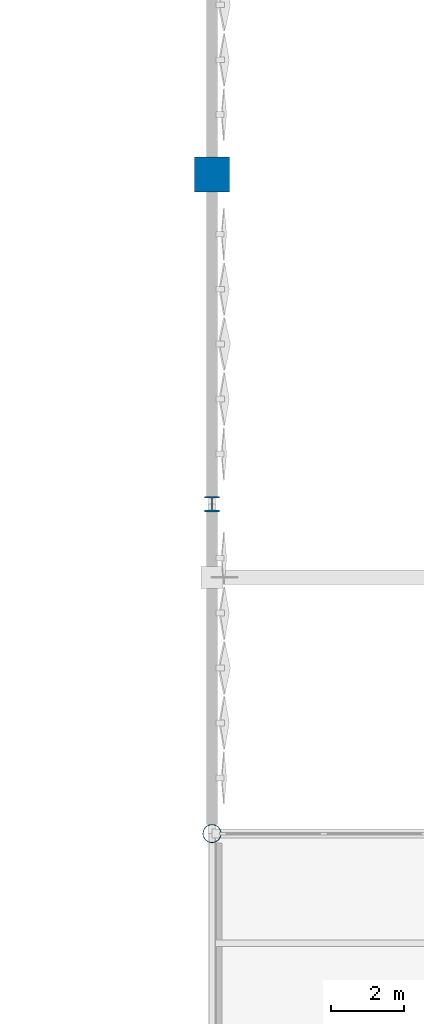
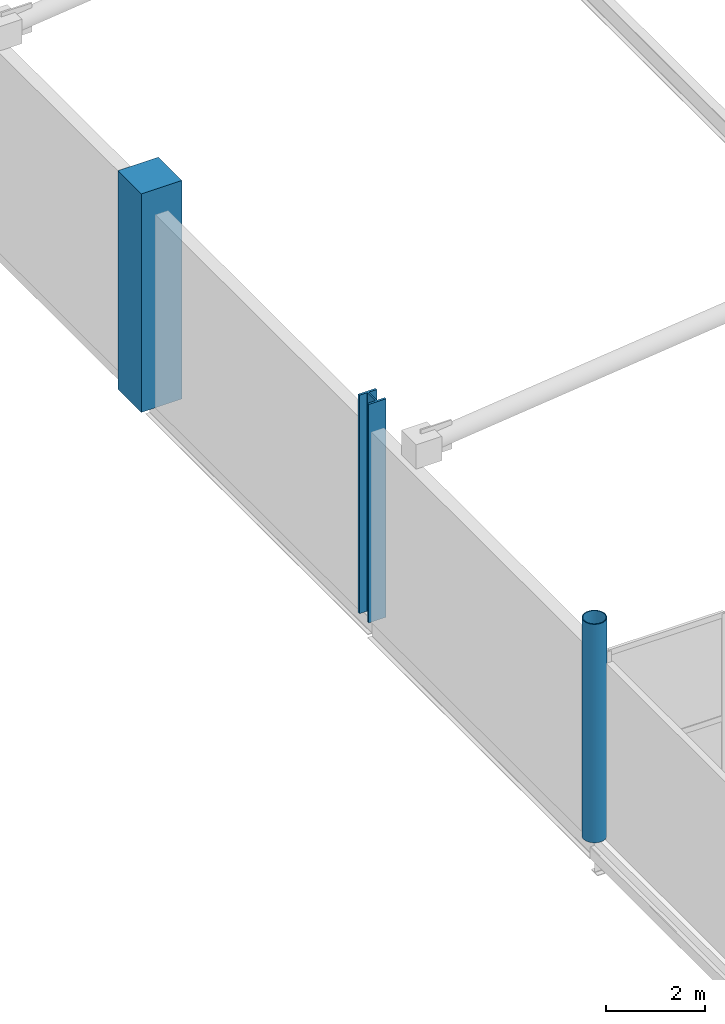
# One storey, part 5 of 119: 3 columns.
"""IFC4 building model written with IfcOpenShell, lengths in metres."""

from ifc_helpers import new_model, si_unit, direction, frame, origin, origin_2d, place, context, subcontext, project, spatial, rectangle, hollow_circle, i_section, extrude, material, material_profile, profile_set, type_object, element, save


model = new_model("IFC4")

# Units and contexts
model_context = context("Model", 3, precision=1e-05, world=origin(), true_north=direction((0.0, 1.0)))
body_context = subcontext(model_context, "Body", "Model", "MODEL_VIEW")
ifc_project = project(units=[si_unit("LENGTHUNIT", "METRE"), si_unit("AREAUNIT", "SQUARE_METRE"), si_unit("VOLUMEUNIT", "CUBIC_METRE"), si_unit("PLANEANGLEUNIT", "RADIAN"), si_unit("MASSUNIT", "GRAM", prefix="KILO")], contexts=[model_context])

# Site, building, storey
site_placement = place(None, origin())
site = spatial("IfcSite", under=ifc_project, at=site_placement, CompositionType="ELEMENT")
building_placement = place(site_placement, origin())
building = spatial("IfcBuilding", under=site, at=building_placement, Name="Qamarlyn Nura Convention Centre", CompositionType="ELEMENT")
storey_placement = place(building_placement, frame((0.0, 0.0, 5.39990234375)))
storey = spatial("IfcBuildingStorey", under=building, at=storey_placement, Name="L01", CompositionType="ELEMENT", Elevation=5.39990234375)

# Columns
ifc_material_1 = material(Name="Pearl-white PVDF steel ASTM A500 Grade C", Category="steel")
ifc_material_profile_1 = material_profile(ifc_material_1, hollow_circle(Radius=0.25390625, WallThickness=0.02001953125, at=origin_2d()), Name="CHS508X20")
ifc_profile_set_1 = profile_set([ifc_material_profile_1], Name="Pearl-white PVDF steel ASTM A500 Grade C")
column_type_1 = type_object("IfcColumnType", Name="COL-HALL-1", PredefinedType="COLUMN", material=ifc_profile_set_1)
column_1_placement = place(storey_placement, frame((120.0, 45.0, 0.0), z_axis=(0.0, 0.0, 1.0), x_axis=(1.0, 0.0, 0.0)))
element("IfcColumn", 1, at=column_1_placement, inside=storey, type_object=column_type_1, Name="L01 column 9/F", PredefinedType="COLUMN", context=body_context, shape_type="SweptSolid", body=[
    extrude(hollow_circle(Radius=0.25390625, WallThickness=0.02001953125, at=origin_2d()), origin(), (0.0, 0.0, 1.0), 5.400146484375),
])
ifc_material_2 = material(Name="Concrete C50/60", Category="concrete")
ifc_material_profile_2 = material_profile(ifc_material_2, rectangle(XDim=0.949951171875, YDim=0.949951171875, at=origin_2d()), Name="RC 950x950")
ifc_profile_set_2 = profile_set([ifc_material_profile_2], Name="Concrete C50/60")
column_type_2 = type_object("IfcColumnType", Name="COL-HALL-2", PredefinedType="COLUMN", material=ifc_profile_set_2)
column_2_placement = place(storey_placement, frame((120.0, 63.0, 0.0), z_axis=(0.0, 0.0, 1.0), x_axis=(1.0, 0.0, 0.0)))
element("IfcColumn", 2, at=column_2_placement, inside=storey, type_object=column_type_2, Name="L01 column 9/H", PredefinedType="COLUMN", context=body_context, shape_type="SweptSolid", body=[
    extrude(rectangle(XDim=0.949951171875, YDim=0.949951171875, at=origin_2d()), origin(), (0.0, 0.0, 1.0), 5.400146484375),
])
ifc_material_3 = material(Name="Steel ASTM A992", Category="steel")
ifc_material_profile_3 = material_profile(ifc_material_3, i_section(OverallWidth=0.408935546875, OverallDepth=0.425048828125, WebThickness=0.030517578125, FlangeThickness=0.049072265625, FilletRadius=0.02001953125, at=origin_2d()), Name="W360X421")
ifc_profile_set_3 = profile_set([ifc_material_profile_3], Name="Steel ASTM A992")
column_type_3 = type_object("IfcColumnType", Name="COL-MEGA-1", PredefinedType="COLUMN", material=ifc_profile_set_3)
column_3_placement = place(storey_placement, frame((120.0, 54.0, 0.0), z_axis=(0.0, 0.0, 1.0), x_axis=(1.0, 0.0, 0.0)))
element("IfcColumn", 3, at=column_3_placement, inside=storey, type_object=column_type_3, Name="L01 column 9/G", PredefinedType="COLUMN", context=body_context, shape_type="SweptSolid", body=[
    extrude(i_section(OverallWidth=0.408935546875, OverallDepth=0.425048828125, WebThickness=0.030517578125, FlangeThickness=0.049072265625, FilletRadius=0.02001953125, at=origin_2d()), origin(), (0.0, 0.0, 1.0), 5.400146484375),
])

save(model, "model.ifc")
